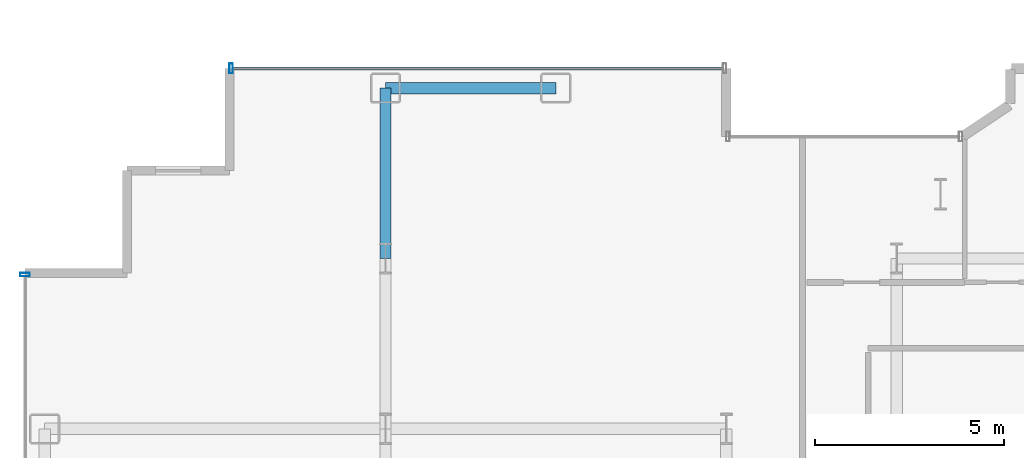
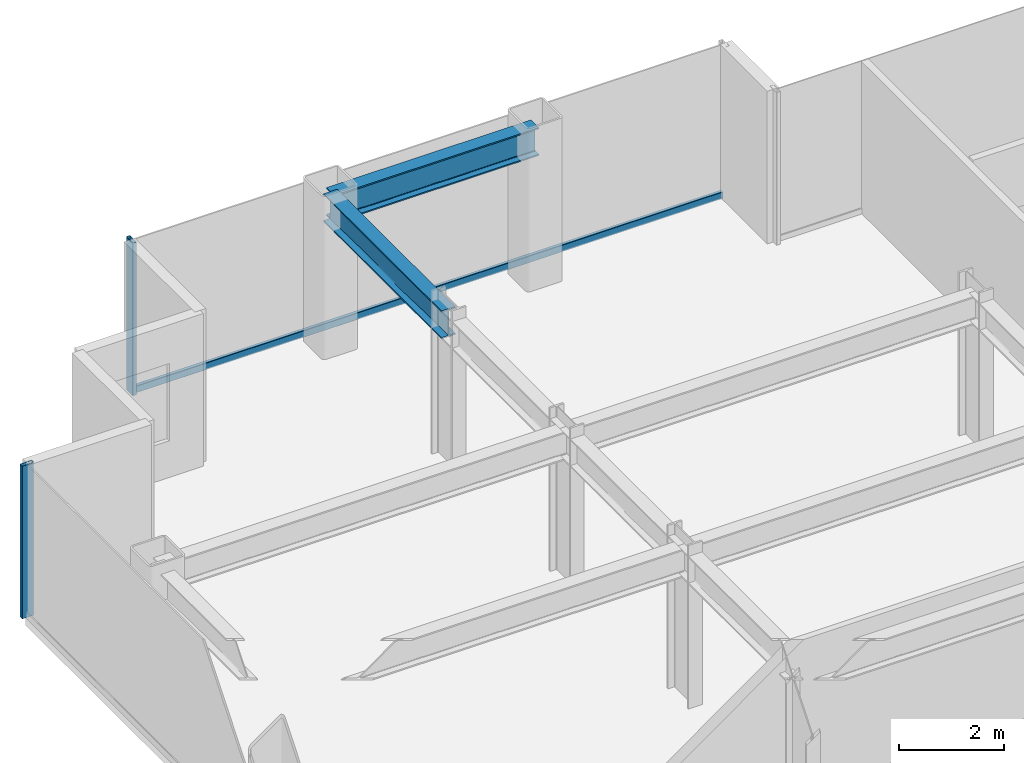
# One storey, part 10 of 23: 3 members, 2 beams, 2 elements without a shape of their own.
"""IFC4 building model written with IfcOpenShell, lengths in metres."""

from ifc_helpers import new_model, si_unit, direction, frame, origin, origin_2d, place, context, subcontext, project, spatial, hollow_rectangle, i_section, extrude, source, transform, mapped, material, layer, layer_set, material_profile, profile_set, type_object, element, aggregate, save


model = new_model("IFC4")

# Units and contexts
model_context = context("Model", 3, precision=1e-05, world=origin(), true_north=direction((0.0, 1.0)))
body_context = subcontext(model_context, "Body", "Model", "MODEL_VIEW")
ifc_project = project(units=[si_unit("LENGTHUNIT", "METRE"), si_unit("AREAUNIT", "SQUARE_METRE"), si_unit("VOLUMEUNIT", "CUBIC_METRE"), si_unit("PLANEANGLEUNIT", "RADIAN"), si_unit("MASSUNIT", "GRAM", prefix="KILO")], contexts=[model_context])

# Site, building, storey
site_placement = place(None, origin())
site = spatial("IfcSite", under=ifc_project, at=site_placement, CompositionType="ELEMENT")
building_placement = place(site_placement, origin())
building = spatial("IfcBuilding", under=site, at=building_placement, Name="Nefas-Gora Pilgrimage Tower", CompositionType="ELEMENT")
storey_placement = place(building_placement, frame((0.0, 0.0, 152.60009765625)))
storey = spatial("IfcBuildingStorey", under=building, at=storey_placement, Name="L37", CompositionType="ELEMENT", Elevation=152.60009765625)

# Beams
ifc_material_1 = material(Name="Steel S355", Category="steel")
ifc_material_profile_1 = material_profile(ifc_material_1, i_section(OverallWidth=0.300048828125, OverallDepth=0.64990234375, WebThickness=0.01611328125, FlangeThickness=0.031005859375, FilletRadius=0.027099609375, at=origin_2d()), Name="HEB 650")
ifc_profile_set_1 = profile_set([ifc_material_profile_1], Name="Steel S355")
beam_type_1 = type_object("IfcBeamType", Name="BM-SPN-HEB500", PredefinedType="SPANDREL", material=ifc_profile_set_1)
shared_shape_1 = source(origin(), body_context, "Body", "SweptSolid", [
    extrude(i_section(OverallWidth=0.300048828125, OverallDepth=0.64990234375, WebThickness=0.01611328125, FlangeThickness=0.031005859375, FilletRadius=0.027099609375, at=origin_2d()), origin(), (0.0, 0.0, 1.0), 4.5),
])
beam_1_placement = place(storey_placement, frame((-24.75, 22.5, 3.224853515625), z_axis=(1.0, 0.0, 0.0), x_axis=(0.0, 1.0, 0.0)))
element("IfcBeam", 1, at=beam_1_placement, inside=storey, type_object=beam_type_1, Name="L37 SP-02 beam", PredefinedType="SPANDREL", context=body_context, shape_type="MappedRepresentation", body=[
    mapped(shared_shape_1, transform((0.0, 0.0, 0.0), x_axis=(1.0, 0.0, 0.0), y_axis=(0.0, 1.0, 0.0), z_axis=(0.0, 0.0, 1.0), scale=1.0)),
])
ifc_material_profile_2 = material_profile(ifc_material_1, i_section(OverallWidth=0.300048828125, OverallDepth=0.64990234375, WebThickness=0.01611328125, FlangeThickness=0.031005859375, FilletRadius=0.027099609375, at=origin_2d()), Name="HEB 650")
ifc_profile_set_2 = profile_set([ifc_material_profile_2], Name="Steel S355")
beam_type_2 = type_object("IfcBeamType", Name="BM-GIR-HEB650", PredefinedType="BEAM", material=ifc_profile_set_2)
shared_shape_2 = source(origin(), body_context, "Body", "SweptSolid", [
    extrude(i_section(OverallWidth=0.300048828125, OverallDepth=0.64990234375, WebThickness=0.01611328125, FlangeThickness=0.031005859375, FilletRadius=0.027099609375, at=origin_2d()), origin(), (0.0, 0.0, 1.0), 4.5),
])
beam_2_placement = place(storey_placement, frame((-24.75, 18.0, 3.224853515625), z_axis=(0.0, 1.0, 0.0), x_axis=(-1.0, 0.0, 0.0)))
element("IfcBeam", 2, at=beam_2_placement, inside=storey, type_object=beam_type_2, Name="L37 G-03 beam", PredefinedType="BEAM", context=body_context, shape_type="MappedRepresentation", body=[
    mapped(shared_shape_2, transform((0.0, 0.0, 0.0), x_axis=(1.0, 0.0, 0.0), y_axis=(0.0, 1.0, 0.0), z_axis=(0.0, 0.0, 1.0), scale=1.0)),
])

# Curtain wall, members
ifc_material_2 = material(Name="Dark ceramic-fritted solar-control aluminium-glass curtain wall", Category="aluminium")
ifc_layer = layer(ifc_material_2, 0.219970703125)
ifc_layer_set = layer_set([ifc_layer], Name="Dark ceramic-fritted solar-control aluminium-glass curtain wall")
curtain_wall_type = type_object("IfcCurtainWallType", Name="CW-SYS-3", PredefinedType="NOTDEFINED", material=ifc_layer_set)
curtain_wall_1_placement = place(storey_placement, origin())
curtain_wall_1 = element("IfcCurtainWall", 3, at=curtain_wall_1_placement, inside=storey, type_object=curtain_wall_type, Name="L37 Unitised Curtain Wall CW3", PredefinedType="NOTDEFINED")
ifc_material_3 = material(Name="Anodised architectural aluminium", Category="aluminium")
ifc_material_profile_3 = material_profile(ifc_material_3, hollow_rectangle(XDim=0.080078125, YDim=0.159912109375, WallThickness=0.00439453125, InnerFilletRadius=0.00439453125, OuterFilletRadius=0.009033203125, at=origin_2d()), Name="ALU TRANSOM 80x160")
ifc_profile_set_3 = profile_set([ifc_material_profile_3], Name="Anodised architectural aluminium")
member_type_1 = type_object("IfcMemberType", Name="CWM-TRN-3", PredefinedType="USERDEFINED", material=ifc_profile_set_3)
shared_shape_3 = source(origin(), body_context, "Body", "SweptSolid", [
    extrude(hollow_rectangle(XDim=0.080078125, YDim=0.159912109375, WallThickness=0.00439453125, InnerFilletRadius=0.00439453125, OuterFilletRadius=0.009033203125, at=origin_2d()), origin(), (0.0, 0.0, 1.0), 12.93994140625),
])
member_1_placement = place(storey_placement, frame((-15.840087890625, 23.02001953125, 0.0498046875), z_axis=(-1.0, 0.0, 0.0), x_axis=(0.0, -1.0, 0.0)))
member_1 = element("IfcMember", 4, at=member_1_placement, type_object=member_type_1, Name="CW3 Spandrel Transom", ObjectType="TRANSOM", PredefinedType="USERDEFINED", context=body_context, shape_type="MappedRepresentation", body=[
    mapped(shared_shape_3, transform((0.0, 0.0, 0.0), x_axis=(1.0, 0.0, 0.0), y_axis=(0.0, 1.0, 0.0), z_axis=(0.0, 0.0, 1.0), scale=1.0)),
])
ifc_material_profile_4 = material_profile(ifc_material_3, hollow_rectangle(XDim=0.090087890625, YDim=0.260009765625, WallThickness=0.006103515625, InnerFilletRadius=0.006103515625, OuterFilletRadius=0.011962890625, at=origin_2d()), Name="ALU MULLION 90x260")
ifc_profile_set_4 = profile_set([ifc_material_profile_4], Name="Anodised architectural aluminium")
member_type_2 = type_object("IfcMemberType", Name="CWM-MUL-3", PredefinedType="MULLION", material=ifc_profile_set_4)
shared_shape_4 = source(origin(), body_context, "Body", "SweptSolid", [
    extrude(hollow_rectangle(XDim=0.090087890625, YDim=0.260009765625, WallThickness=0.006103515625, InnerFilletRadius=0.006103515625, OuterFilletRadius=0.011962890625, at=origin_2d()), origin(), (0.0, 0.0, 1.0), 3.5498046875),
])
member_2_placement = place(storey_placement, frame((-28.824951171875, 23.02001953125, 0.0), z_axis=(0.0, 0.0, 1.0), x_axis=(-1.0, 0.0, 0.0)))
member_2 = element("IfcMember", 5, at=member_2_placement, type_object=member_type_2, Name="CW3 Mullion 2", PredefinedType="MULLION", context=body_context, shape_type="MappedRepresentation", body=[
    mapped(shared_shape_4, transform((0.0, 0.0, 0.0), x_axis=(1.0, 0.0, 0.0), y_axis=(0.0, 1.0, 0.0), z_axis=(0.0, 0.0, 1.0), scale=1.0)),
])
aggregate(curtain_wall_1, [member_2, member_1])

# Curtain wall, member
curtain_wall_2_placement = place(storey_placement, origin())
curtain_wall_2 = element("IfcCurtainWall", 6, at=curtain_wall_2_placement, inside=storey, type_object=curtain_wall_type, Name="L37 Unitised Curtain Wall CW3", PredefinedType="NOTDEFINED")
member_3_placement = place(storey_placement, frame((-34.27001953125, 17.574951171875, 0.0), z_axis=(0.0, 0.0, 1.0), x_axis=(0.0, -1.0, 0.0)))
member_3 = element("IfcMember", 7, at=member_3_placement, type_object=member_type_2, Name="CW3 Mullion 1", PredefinedType="MULLION", context=body_context, shape_type="MappedRepresentation", body=[
    mapped(shared_shape_4, transform((0.0, 0.0, 0.0), x_axis=(1.0, 0.0, 0.0), y_axis=(0.0, 1.0, 0.0), z_axis=(0.0, 0.0, 1.0), scale=1.0)),
])
aggregate(curtain_wall_2, [member_3])

save(model, "model.ifc")
